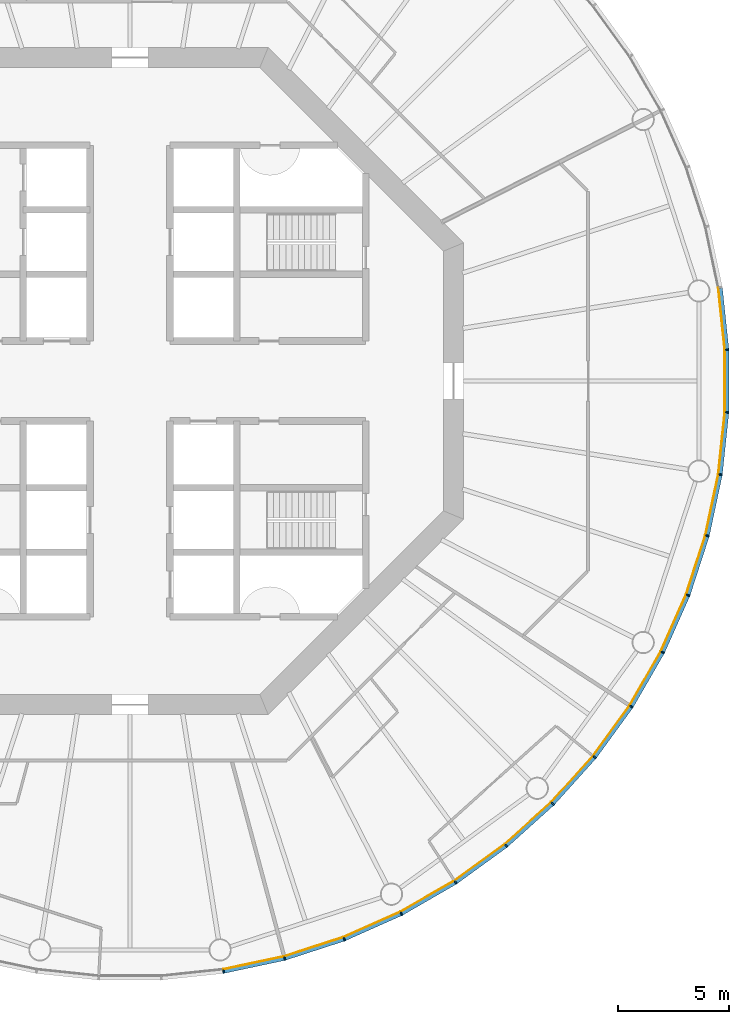
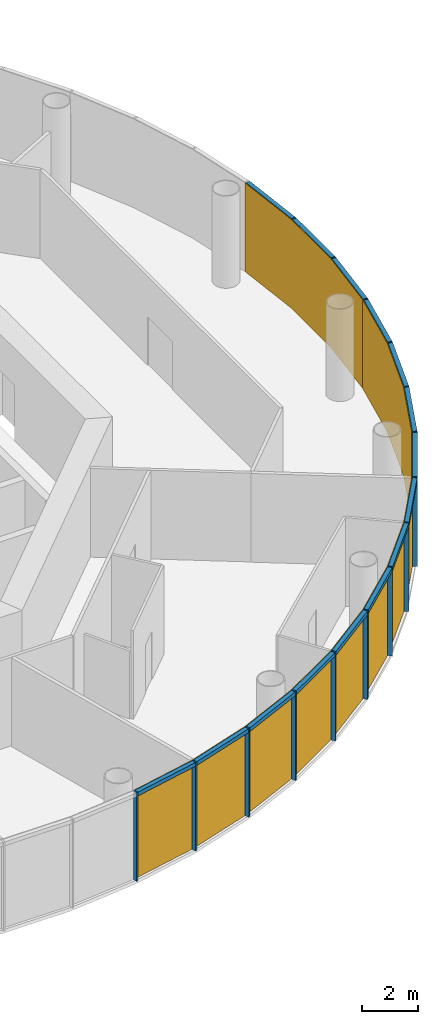
# One storey, part 8 of 12: 30 members, 5 curtain walls.
"""IFC4 building model written with IfcOpenShell, lengths in metres."""

from ifc_helpers import new_model, si_unit, direction, frame, origin, origin_2d, place, context, subcontext, project, spatial, polyline, rectangle, outline, extrude, material, layer, layer_set, material_profile, profile_set, type_object, element, aggregate, save


model = new_model("IFC4")

# Units and contexts
model_context = context("Model", 3, precision=1e-05, world=origin(), true_north=direction((0.0, 1.0)))
body_context = subcontext(model_context, "Body", "Model", "MODEL_VIEW")
ifc_project = project(units=[si_unit("LENGTHUNIT", "METRE"), si_unit("AREAUNIT", "SQUARE_METRE"), si_unit("VOLUMEUNIT", "CUBIC_METRE"), si_unit("PLANEANGLEUNIT", "RADIAN"), si_unit("MASSUNIT", "GRAM", prefix="KILO")], contexts=[model_context])

# Member
ifc_material_1 = material(Name="Anodised aluminium", Category="aluminium")
ifc_material_profile_1 = material_profile(ifc_material_1, rectangle(XDim=0.06005859375, YDim=0.169921875, at=origin_2d()), Name="Mullion 60 x 170 mm anodised aluminium")
ifc_profile_set_1 = profile_set([ifc_material_profile_1], Name="Anodised aluminium")
member_type_1 = type_object("IfcMemberType", Name="Mullion 60 x 170 mm anodised aluminium", PredefinedType="MULLION", material=ifc_profile_set_1)
site_placement = place(None, origin())
building_placement = place(site_placement, origin())
storey_placement = place(building_placement, frame((0.0, 0.0, 222.0)))
member_1_placement = place(storey_placement, frame((94.205810546875, 53.446044921875, 0.0), z_axis=(0.0, 0.0, 1.0), x_axis=(0.987688340595, 0.15643446504, 0.0)))
member_1 = element("IfcMember", 1, at=member_1_placement, type_object=member_type_1, Name="MULLION L51-45", PredefinedType="MULLION", context=body_context, shape_type="SweptSolid", body=[
    extrude(rectangle(XDim=0.06005859375, YDim=0.169921875, at=origin_2d()), origin(), (0.0, 0.0, 1.0), 3.85009765625),
])

member_2_placement = place(storey_placement, frame((96.958251953125, 54.031005859375, 0.0), z_axis=(0.0, 0.0, 1.0), x_axis=(0.965925826289, 0.258819045103, 0.0)))
member_2 = element("IfcMember", 2, at=member_2_placement, type_object=member_type_1, Name="MULLION L51-46", PredefinedType="MULLION", context=body_context, shape_type="SweptSolid", body=[
    extrude(rectangle(XDim=0.06005859375, YDim=0.169921875, at=origin_2d()), origin(), (0.0, 0.0, 1.0), 3.85009765625),
])

member_3_placement = place(storey_placement, frame((99.634765625, 54.900634765625, 0.0), z_axis=(0.0, 0.0, 1.0), x_axis=(0.933580426497, 0.358367949545, 0.0)))
member_3 = element("IfcMember", 3, at=member_3_placement, type_object=member_type_1, Name="MULLION L51-47", PredefinedType="MULLION", context=body_context, shape_type="SweptSolid", body=[
    extrude(rectangle(XDim=0.06005859375, YDim=0.169921875, at=origin_2d()), origin(), (0.0, 0.0, 1.0), 3.85009765625),
])

member_4_placement = place(storey_placement, frame((102.20556640625, 56.04541015625, 0.0), z_axis=(0.0, 0.0, 1.0), x_axis=(0.891006524188, 0.45399049974, 0.0)))
member_4 = element("IfcMember", 4, at=member_4_placement, type_object=member_type_1, Name="MULLION L51-48", PredefinedType="MULLION", context=body_context, shape_type="SweptSolid", body=[
    extrude(rectangle(XDim=0.06005859375, YDim=0.169921875, at=origin_2d()), origin(), (0.0, 0.0, 1.0), 3.85009765625),
])

member_5_placement = place(storey_placement, frame((104.642578125, 57.452392578125, 0.0), z_axis=(0.0, 0.0, 1.0), x_axis=(0.838670567945, 0.544639035015, 0.0)))
member_5 = element("IfcMember", 5, at=member_5_placement, type_object=member_type_1, Name="MULLION L51-49", PredefinedType="MULLION", context=body_context, shape_type="SweptSolid", body=[
    extrude(rectangle(XDim=0.06005859375, YDim=0.169921875, at=origin_2d()), origin(), (0.0, 0.0, 1.0), 3.85009765625),
])

member_6_placement = place(storey_placement, frame((106.919189453125, 59.1064453125, 0.0), z_axis=(0.0, 0.0, 1.0), x_axis=(0.777145961457, 0.62932039105, 0.0)))
member_6 = element("IfcMember", 6, at=member_6_placement, type_object=member_type_1, Name="MULLION L51-50", PredefinedType="MULLION", context=body_context, shape_type="SweptSolid", body=[
    extrude(rectangle(XDim=0.06005859375, YDim=0.169921875, at=origin_2d()), origin(), (0.0, 0.0, 1.0), 3.85009765625),
])

member_7_placement = place(storey_placement, frame((109.010498046875, 60.989501953125, 0.0), z_axis=(0.0, 0.0, 1.0), x_axis=(0.707106781187, 0.707106781187, 0.0)))
member_7 = element("IfcMember", 7, at=member_7_placement, type_object=member_type_1, Name="MULLION L51-51", PredefinedType="MULLION", context=body_context, shape_type="SweptSolid", body=[
    extrude(rectangle(XDim=0.06005859375, YDim=0.169921875, at=origin_2d()), origin(), (0.0, 0.0, 1.0), 3.85009765625),
])

member_8_placement = place(storey_placement, frame((110.8935546875, 63.080810546875, 0.0), z_axis=(0.0, 0.0, 1.0), x_axis=(0.62932039105, 0.777145961457, 0.0)))
member_8 = element("IfcMember", 8, at=member_8_placement, type_object=member_type_1, Name="MULLION L51-52", PredefinedType="MULLION", context=body_context, shape_type="SweptSolid", body=[
    extrude(rectangle(XDim=0.06005859375, YDim=0.169921875, at=origin_2d()), origin(), (0.0, 0.0, 1.0), 3.85009765625),
])

member_9_placement = place(storey_placement, frame((112.547607421875, 65.357421875, 0.0), z_axis=(0.0, 0.0, 1.0), x_axis=(0.544639035015, 0.838670567945, 0.0)))
member_9 = element("IfcMember", 9, at=member_9_placement, type_object=member_type_1, Name="MULLION L51-53", PredefinedType="MULLION", context=body_context, shape_type="SweptSolid", body=[
    extrude(rectangle(XDim=0.06005859375, YDim=0.169921875, at=origin_2d()), origin(), (0.0, 0.0, 1.0), 3.85009765625),
])

member_10_placement = place(storey_placement, frame((113.95458984375, 67.79443359375, 0.0), z_axis=(0.0, 0.0, 1.0), x_axis=(0.45399049974, 0.891006524188, 0.0)))
member_10 = element("IfcMember", 10, at=member_10_placement, type_object=member_type_1, Name="MULLION L51-54", PredefinedType="MULLION", context=body_context, shape_type="SweptSolid", body=[
    extrude(rectangle(XDim=0.06005859375, YDim=0.169921875, at=origin_2d()), origin(), (0.0, 0.0, 1.0), 3.85009765625),
])

member_11_placement = place(storey_placement, frame((115.099365234375, 70.365234375, 0.0), z_axis=(0.0, 0.0, 1.0), x_axis=(0.358367949545, 0.933580426497, 0.0)))
member_11 = element("IfcMember", 11, at=member_11_placement, type_object=member_type_1, Name="MULLION L51-55", PredefinedType="MULLION", context=body_context, shape_type="SweptSolid", body=[
    extrude(rectangle(XDim=0.06005859375, YDim=0.169921875, at=origin_2d()), origin(), (0.0, 0.0, 1.0), 3.85009765625),
])

member_12_placement = place(storey_placement, frame((115.968994140625, 73.041748046875, 0.0), z_axis=(0.0, 0.0, 1.0), x_axis=(0.258819045103, 0.965925826289, 0.0)))
member_12 = element("IfcMember", 12, at=member_12_placement, type_object=member_type_1, Name="MULLION L51-56", PredefinedType="MULLION", context=body_context, shape_type="SweptSolid", body=[
    extrude(rectangle(XDim=0.06005859375, YDim=0.169921875, at=origin_2d()), origin(), (0.0, 0.0, 1.0), 3.85009765625),
])

member_13_placement = place(storey_placement, frame((116.553955078125, 75.794189453125, 0.0), z_axis=(0.0, 0.0, 1.0), x_axis=(0.15643446504, 0.987688340595, 0.0)))
member_13 = element("IfcMember", 13, at=member_13_placement, type_object=member_type_1, Name="MULLION L51-57", PredefinedType="MULLION", context=body_context, shape_type="SweptSolid", body=[
    extrude(rectangle(XDim=0.06005859375, YDim=0.169921875, at=origin_2d()), origin(), (0.0, 0.0, 1.0), 3.85009765625),
])

member_14_placement = place(storey_placement, frame((116.84814453125, 78.593017578125, 0.0), z_axis=(0.0, 0.0, 1.0), x_axis=(0.052335956243, 0.998629534755, 0.0)))
member_14 = element("IfcMember", 14, at=member_14_placement, type_object=member_type_1, Name="MULLION L51-58", PredefinedType="MULLION", context=body_context, shape_type="SweptSolid", body=[
    extrude(rectangle(XDim=0.06005859375, YDim=0.169921875, at=origin_2d()), origin(), (0.0, 0.0, 1.0), 3.85009765625),
])

member_15_placement = place(storey_placement, frame((116.84814453125, 81.406982421875, 0.0), z_axis=(0.0, 0.0, 1.0), x_axis=(-0.052335956243, 0.998629534755, 0.0)))
member_15 = element("IfcMember", 15, at=member_15_placement, type_object=member_type_1, Name="MULLION L51-59", PredefinedType="MULLION", context=body_context, shape_type="SweptSolid", body=[
    extrude(rectangle(XDim=0.06005859375, YDim=0.169921875, at=origin_2d()), origin(), (0.0, 0.0, 1.0), 3.85009765625),
])

ifc_material_2 = material(Name="Anodised aluminium", Category="aluminium")
ifc_material_profile_2 = material_profile(ifc_material_2, rectangle(XDim=0.169921875, YDim=0.1650390625, at=origin_2d()), Name="Transom 165 x 170 mm anodised aluminium")
ifc_profile_set_2 = profile_set([ifc_material_profile_2], Name="Anodised aluminium")
member_type_2 = type_object("IfcMemberType", Name="Transom 165 x 170 mm anodised aluminium", PredefinedType="USERDEFINED", material=ifc_profile_set_2)
member_16_placement = place(storey_placement, frame((94.239501953125, 53.453125, 3.767578125), z_axis=(0.97814212115, 0.207937468562, 0.0), x_axis=(-0.207937468562, 0.97814212115, 0.0)))
member_16 = element("IfcMember", 16, at=member_16_placement, type_object=member_type_2, Name="TRANSOM L51-45", ObjectType="TRANSOM", PredefinedType="USERDEFINED", context=body_context, shape_type="SweptSolid", body=[
    extrude(rectangle(XDim=0.169921875, YDim=0.1650390625, at=origin_2d()), origin(), (0.0, 0.0, 1.0), 2.7451171875),
])

member_17_placement = place(storey_placement, frame((96.9912109375, 54.04150390625, 3.767578125), z_axis=(0.951048445774, 0.309041831781, 0.0), x_axis=(-0.309041831781, 0.951048445774, 0.0)))
member_17 = element("IfcMember", 17, at=member_17_placement, type_object=member_type_2, Name="TRANSOM L51-46", ObjectType="TRANSOM", PredefinedType="USERDEFINED", context=body_context, shape_type="SweptSolid", body=[
    extrude(rectangle(XDim=0.169921875, YDim=0.1650390625, at=origin_2d()), origin(), (0.0, 0.0, 1.0), 2.7451171875),
])

member_18_placement = place(storey_placement, frame((99.666259765625, 54.91455078125, 3.767578125), z_axis=(0.913525267704, 0.406781987391, 0.0), x_axis=(-0.406781987391, 0.913525267704, 0.0)))
member_18 = element("IfcMember", 18, at=member_18_placement, type_object=member_type_2, Name="TRANSOM L51-47", ObjectType="TRANSOM", PredefinedType="USERDEFINED", context=body_context, shape_type="SweptSolid", body=[
    extrude(rectangle(XDim=0.169921875, YDim=0.1650390625, at=origin_2d()), origin(), (0.0, 0.0, 1.0), 2.7451171875),
])

member_19_placement = place(storey_placement, frame((102.2353515625, 56.0625, 3.767578125), z_axis=(0.866034527326, 0.49998419723, 0.0), x_axis=(-0.49998419723, 0.866034527326, 0.0)))
member_19 = element("IfcMember", 19, at=member_19_placement, type_object=member_type_2, Name="TRANSOM L51-48", ObjectType="TRANSOM", PredefinedType="USERDEFINED", context=body_context, shape_type="SweptSolid", body=[
    extrude(rectangle(XDim=0.169921875, YDim=0.1650390625, at=origin_2d()), origin(), (0.0, 0.0, 1.0), 2.7451171875),
])

member_20_placement = place(storey_placement, frame((104.670654296875, 57.472412109375, 3.767578125), z_axis=(0.808959086484, 0.587864947412, 0.0), x_axis=(-0.587864947412, 0.808959086484, 0.0)))
member_20 = element("IfcMember", 20, at=member_20_placement, type_object=member_type_2, Name="TRANSOM L51-49", ObjectType="TRANSOM", PredefinedType="USERDEFINED", context=body_context, shape_type="SweptSolid", body=[
    extrude(rectangle(XDim=0.169921875, YDim=0.1650390625, at=origin_2d()), origin(), (0.0, 0.0, 1.0), 2.7451171875),
])

member_21_placement = place(storey_placement, frame((106.945068359375, 59.12939453125, 3.767578125), z_axis=(0.743134927907, 0.669141598561, 0.0), x_axis=(-0.669141598561, 0.743134927907, 0.0)))
member_21 = element("IfcMember", 21, at=member_21_placement, type_object=member_type_2, Name="TRANSOM L51-50", ObjectType="TRANSOM", PredefinedType="USERDEFINED", context=body_context, shape_type="SweptSolid", body=[
    extrude(rectangle(XDim=0.169921875, YDim=0.1650390625, at=origin_2d()), origin(), (0.0, 0.0, 1.0), 2.7451171875),
])

member_22_placement = place(storey_placement, frame((109.03369140625, 61.014892578125, 3.767578125), z_axis=(0.669141598561, 0.743134927907, 0.0), x_axis=(-0.743134927907, 0.669141598561, 0.0)))
member_22 = element("IfcMember", 22, at=member_22_placement, type_object=member_type_2, Name="TRANSOM L51-51", ObjectType="TRANSOM", PredefinedType="USERDEFINED", context=body_context, shape_type="SweptSolid", body=[
    extrude(rectangle(XDim=0.169921875, YDim=0.1650390625, at=origin_2d()), origin(), (0.0, 0.0, 1.0), 2.7451171875),
])

member_23_placement = place(storey_placement, frame((110.913818359375, 63.108642578125, 3.767578125), z_axis=(0.587864947412, 0.808959086484, 0.0), x_axis=(-0.808959086484, 0.587864947412, 0.0)))
member_23 = element("IfcMember", 23, at=member_23_placement, type_object=member_type_2, Name="TRANSOM L51-52", ObjectType="TRANSOM", PredefinedType="USERDEFINED", context=body_context, shape_type="SweptSolid", body=[
    extrude(rectangle(XDim=0.169921875, YDim=0.1650390625, at=origin_2d()), origin(), (0.0, 0.0, 1.0), 2.7451171875),
])

member_24_placement = place(storey_placement, frame((112.56494140625, 65.38720703125, 3.767578125), z_axis=(0.49998419723, 0.866034527326, 0.0), x_axis=(-0.866034527326, 0.49998419723, 0.0)))
member_24 = element("IfcMember", 24, at=member_24_placement, type_object=member_type_2, Name="TRANSOM L51-53", ObjectType="TRANSOM", PredefinedType="USERDEFINED", context=body_context, shape_type="SweptSolid", body=[
    extrude(rectangle(XDim=0.169921875, YDim=0.1650390625, at=origin_2d()), origin(), (0.0, 0.0, 1.0), 2.7451171875),
])

member_25_placement = place(storey_placement, frame((113.96875, 67.825927734375, 3.767578125), z_axis=(0.406781987391, 0.913525267704, 0.0), x_axis=(-0.913525267704, 0.406781987391, 0.0)))
member_25 = element("IfcMember", 25, at=member_25_placement, type_object=member_type_2, Name="TRANSOM L51-54", ObjectType="TRANSOM", PredefinedType="USERDEFINED", context=body_context, shape_type="SweptSolid", body=[
    extrude(rectangle(XDim=0.169921875, YDim=0.1650390625, at=origin_2d()), origin(), (0.0, 0.0, 1.0), 2.7451171875),
])

member_26_placement = place(storey_placement, frame((115.110107421875, 70.39794921875, 3.767578125), z_axis=(0.309041831781, 0.951048445774, 0.0), x_axis=(-0.951048445774, 0.309041831781, 0.0)))
member_26 = element("IfcMember", 26, at=member_26_placement, type_object=member_type_2, Name="TRANSOM L51-55", ObjectType="TRANSOM", PredefinedType="USERDEFINED", context=body_context, shape_type="SweptSolid", body=[
    extrude(rectangle(XDim=0.169921875, YDim=0.1650390625, at=origin_2d()), origin(), (0.0, 0.0, 1.0), 2.7451171875),
])

member_27_placement = place(storey_placement, frame((115.97607421875, 73.075439453125, 3.767578125), z_axis=(0.207937468562, 0.97814212115, 0.0), x_axis=(-0.97814212115, 0.207937468562, 0.0)))
member_27 = element("IfcMember", 27, at=member_27_placement, type_object=member_type_2, Name="TRANSOM L51-56", ObjectType="TRANSOM", PredefinedType="USERDEFINED", context=body_context, shape_type="SweptSolid", body=[
    extrude(rectangle(XDim=0.169921875, YDim=0.1650390625, at=origin_2d()), origin(), (0.0, 0.0, 1.0), 2.7451171875),
])

member_28_placement = place(storey_placement, frame((116.5576171875, 75.82861328125, 3.767578125), z_axis=(0.104592190102, 0.994515195344, 0.0), x_axis=(-0.994515195344, 0.104592190102, 0.0)))
member_28 = element("IfcMember", 28, at=member_28_placement, type_object=member_type_2, Name="TRANSOM L51-57", ObjectType="TRANSOM", PredefinedType="USERDEFINED", context=body_context, shape_type="SweptSolid", body=[
    extrude(rectangle(XDim=0.169921875, YDim=0.1650390625, at=origin_2d()), origin(), (0.0, 0.0, 1.0), 2.7451171875),
])

member_29_placement = place(storey_placement, frame((116.848388671875, 78.62744140625, 3.767578125), z_axis=(0.0, 1.0, 0.0), x_axis=(-1.0, 0.0, 0.0)))
member_29 = element("IfcMember", 29, at=member_29_placement, type_object=member_type_2, Name="TRANSOM L51-58", ObjectType="TRANSOM", PredefinedType="USERDEFINED", context=body_context, shape_type="SweptSolid", body=[
    extrude(rectangle(XDim=0.169921875, YDim=0.1650390625, at=origin_2d()), origin(), (0.0, 0.0, 1.0), 2.7451171875),
])

member_30_placement = place(storey_placement, frame((116.8447265625, 81.44140625, 3.767578125), z_axis=(-0.104592190102, 0.994515195344, 0.0), x_axis=(-0.994515195344, -0.104592190102, 0.0)))
member_30 = element("IfcMember", 30, at=member_30_placement, type_object=member_type_2, Name="TRANSOM L51-59", ObjectType="TRANSOM", PredefinedType="USERDEFINED", context=body_context, shape_type="SweptSolid", body=[
    extrude(rectangle(XDim=0.169921875, YDim=0.1650390625, at=origin_2d()), origin(), (0.0, 0.0, 1.0), 2.7451171875),
])

# Site, building, storey
site = spatial("IfcSite", under=ifc_project, at=site_placement, CompositionType="ELEMENT")
building = spatial("IfcBuilding", under=site, at=building_placement, Name="Entoto Ring Tower", CompositionType="ELEMENT")
storey = spatial("IfcBuildingStorey", under=building, at=storey_placement, Name="L51", CompositionType="ELEMENT", Elevation=222.0)

# Curtain wall
ifc_material_3 = material(Name="Clear low-iron glass", Category="glass")
ifc_layer = layer(ifc_material_3, 0.031982421875)
ifc_layer_set = layer_set([ifc_layer], Name="Clear low-iron glass")
curtain_wall_type = type_object("IfcCurtainWallType", Name="Curtain wall system CW4 glazing 32 mm", PredefinedType="NOTDEFINED", material=ifc_layer_set)
curtain_wall_1_placement = place(storey_placement, origin())
curtain_wall_1 = element("IfcCurtainWall", 31, at=curtain_wall_1_placement, inside=storey, type_object=curtain_wall_type, Name="CW4 L51-16", PredefinedType="NOTDEFINED", context=body_context, shape_type="SweptSolid", body=[
    extrude(outline(polyline([(94.1923828125, 53.530029296875), (96.936279296875, 54.11328125), (99.604248046875, 54.97998046875), (102.1669921875, 56.12109375), (102.15234375, 56.149658203125), (99.5927734375, 55.010009765625), (96.927978515625, 54.14404296875), (94.1875, 53.5615234375), (94.1923828125, 53.530029296875)])), origin(), (0.0, 0.0, 1.0), 3.85009765625),
])

aggregate(curtain_wall_1, [member_1, member_2, member_3, member_16, member_17, member_18])

curtain_wall_2_placement = place(storey_placement, origin())
curtain_wall_2 = element("IfcCurtainWall", 32, at=curtain_wall_2_placement, inside=storey, type_object=curtain_wall_type, Name="CW4 L51-17", PredefinedType="NOTDEFINED", context=body_context, shape_type="SweptSolid", body=[
    extrude(outline(polyline([(102.1669921875, 56.12109375), (104.596435546875, 57.523681640625), (106.86572265625, 59.172607421875), (108.950439453125, 61.049560546875), (108.927734375, 61.072265625), (106.845703125, 59.197509765625), (104.578857421875, 57.550537109375), (102.15234375, 56.149658203125), (102.1669921875, 56.12109375)])), origin(), (0.0, 0.0, 1.0), 3.85009765625),
])

aggregate(curtain_wall_2, [member_4, member_5, member_6, member_19, member_20, member_21])

curtain_wall_3_placement = place(storey_placement, origin())
curtain_wall_3 = element("IfcCurtainWall", 33, at=curtain_wall_3_placement, inside=storey, type_object=curtain_wall_type, Name="CW4 L51-18", PredefinedType="NOTDEFINED", context=body_context, shape_type="SweptSolid", body=[
    extrude(outline(polyline([(108.950439453125, 61.049560546875), (110.827392578125, 63.13427734375), (112.476318359375, 65.403564453125), (113.87890625, 67.8330078125), (113.850341796875, 67.84765625), (112.449462890625, 65.421142578125), (110.802490234375, 63.154296875), (108.927734375, 61.072265625), (108.950439453125, 61.049560546875)])), origin(), (0.0, 0.0, 1.0), 3.85009765625),
])

aggregate(curtain_wall_3, [member_7, member_8, member_9, member_22, member_23, member_24])

curtain_wall_4_placement = place(storey_placement, origin())
curtain_wall_4 = element("IfcCurtainWall", 34, at=curtain_wall_4_placement, inside=storey, type_object=curtain_wall_type, Name="CW4 L51-19", PredefinedType="NOTDEFINED", context=body_context, shape_type="SweptSolid", body=[
    extrude(outline(polyline([(113.87890625, 67.8330078125), (115.02001953125, 70.395751953125), (115.88671875, 73.063720703125), (116.469970703125, 75.8076171875), (116.4384765625, 75.8125), (115.85595703125, 73.072021484375), (114.989990234375, 70.4072265625), (113.850341796875, 67.84765625), (113.87890625, 67.8330078125)])), origin(), (0.0, 0.0, 1.0), 3.85009765625),
])

aggregate(curtain_wall_4, [member_10, member_11, member_12, member_25, member_26, member_27])

curtain_wall_5_placement = place(storey_placement, origin())
curtain_wall_5 = element("IfcCurtainWall", 35, at=curtain_wall_5_placement, inside=storey, type_object=curtain_wall_type, Name="CW4 L51-20", PredefinedType="NOTDEFINED", context=body_context, shape_type="SweptSolid", body=[
    extrude(outline(polyline([(116.469970703125, 75.8076171875), (116.76318359375, 78.597412109375), (116.76318359375, 81.402587890625), (116.469970703125, 84.1923828125), (116.4384765625, 84.1875), (116.731201171875, 81.40087890625), (116.731201171875, 78.59912109375), (116.4384765625, 75.8125), (116.469970703125, 75.8076171875)])), origin(), (0.0, 0.0, 1.0), 3.85009765625),
])

aggregate(curtain_wall_5, [member_13, member_14, member_15, member_28, member_29, member_30])

save(model, "model.ifc")
